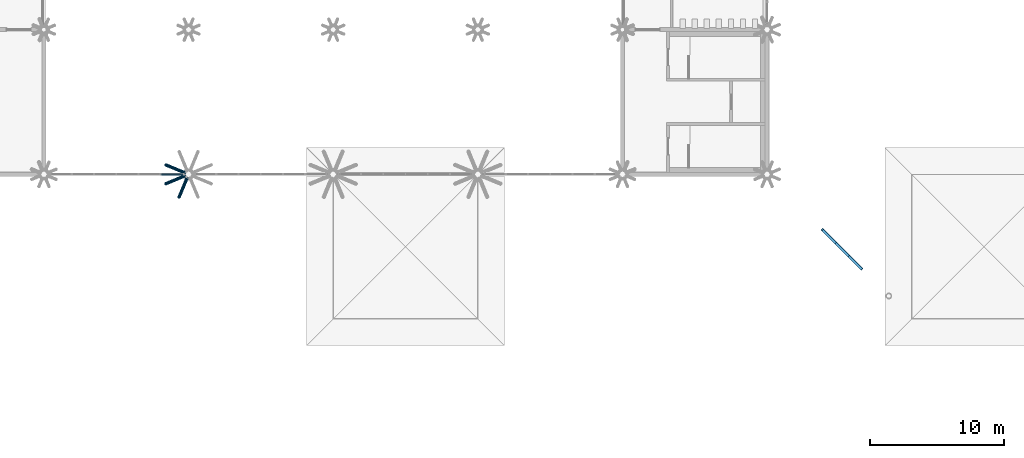
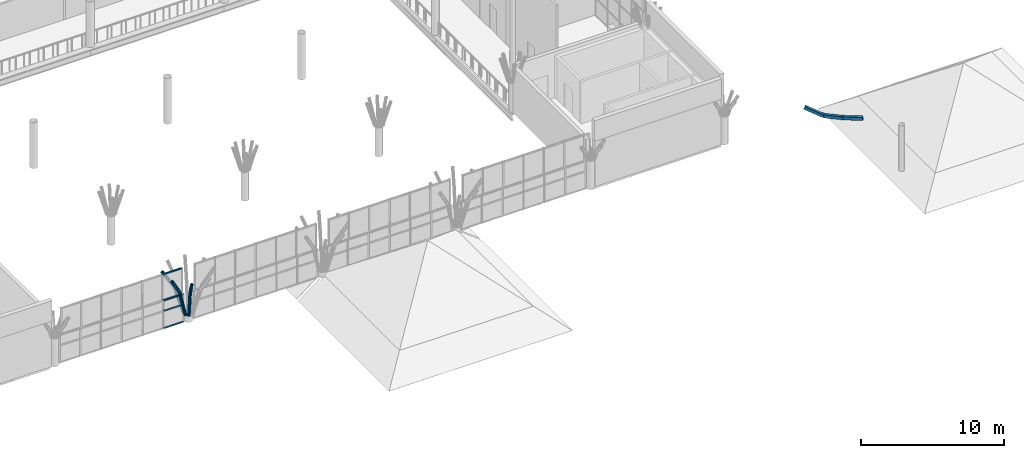
# One storey, part 16 of 95: 14 members, 2 elements without a shape of their own.
"""IFC4 building model written with IfcOpenShell, lengths in metres."""

from ifc_helpers import new_model, si_unit, direction, frame, origin, origin_2d, place, context, subcontext, project, spatial, rectangle, hollow_rectangle, hollow_circle, extrude, material, layer, layer_set, material_profile, profile_set, type_object, element, aggregate, save


model = new_model("IFC4")

# Units and contexts
model_context = context("Model", 3, precision=1e-05, world=origin(), true_north=direction((0.0, 1.0)))
body_context = subcontext(model_context, "Body", "Model", "MODEL_VIEW")
ifc_project = project(units=[si_unit("LENGTHUNIT", "METRE"), si_unit("AREAUNIT", "SQUARE_METRE"), si_unit("VOLUMEUNIT", "CUBIC_METRE"), si_unit("PLANEANGLEUNIT", "RADIAN"), si_unit("MASSUNIT", "GRAM", prefix="KILO")], contexts=[model_context])

# Site, building, storey
site_placement = place(None, origin())
site = spatial("IfcSite", under=ifc_project, at=site_placement, CompositionType="ELEMENT")
building_placement = place(site_placement, origin())
building = spatial("IfcBuilding", under=site, at=building_placement, Name="Magnolia Steps Interchange", CompositionType="ELEMENT")
storey_placement = place(building_placement, frame((0.0, 0.0, 4.800048828125)))
storey = spatial("IfcBuildingStorey", under=building, at=storey_placement, Name="L01", CompositionType="ELEMENT", Elevation=4.800048828125)

# Curtain wall, members
ifc_material_1 = material(Name="Powder-coated aluminium and glass", Category="aluminium")
ifc_layer_1 = layer(ifc_material_1, 0.14990234375)
ifc_layer_set_1 = layer_set([ifc_layer_1], Name="Glazed hall curtain wall")
curtain_wall_type_1 = type_object("IfcCurtainWallType", Name="Glazed hall curtain wall", PredefinedType="NOTDEFINED", material=ifc_layer_set_1)
curtain_wall_1_placement = place(storey_placement, origin())
curtain_wall_1 = element("IfcCurtainWall", 1, at=curtain_wall_1_placement, inside=storey, type_object=curtain_wall_type_1, Name="Hall glazing S2 L01", PredefinedType="NOTDEFINED")
ifc_material_2 = material(Name="White powder-coated aluminium", Category="aluminium")
ifc_material_profile_1 = material_profile(ifc_material_2, rectangle(XDim=0.06005859375, YDim=0.1201171875, at=origin_2d()), Name="Aluminium transom 60 x 120")
ifc_profile_set_1 = profile_set([ifc_material_profile_1], Name="White powder-coated aluminium")
member_type_1 = type_object("IfcMemberType", Name="Aluminium transom 60 x 120", PredefinedType="USERDEFINED", material=ifc_profile_set_1)
member_1_placement = place(storey_placement, frame((72.7900390625, 42.39990234375, 0.030029296875), z_axis=(1.0, 0.0, 0.0), x_axis=(0.0, 0.0, 1.0)))
member_1 = element("IfcMember", 2, at=member_1_placement, type_object=member_type_1, Name="CW1 transom 6.1", ObjectType="TRANSOM", PredefinedType="USERDEFINED", context=body_context, shape_type="SweptSolid", body=[
    extrude(rectangle(XDim=0.06005859375, YDim=0.1201171875, at=origin_2d()), origin(), (0.0, 0.0, 1.0), 1.58984375),
])
member_2_placement = place(storey_placement, frame((72.7900390625, 42.39990234375, 1.5), z_axis=(1.0, 0.0, 0.0), x_axis=(0.0, 0.0, 1.0)))
member_2 = element("IfcMember", 3, at=member_2_placement, type_object=member_type_1, Name="CW1 transom 6.2", ObjectType="TRANSOM", PredefinedType="USERDEFINED", context=body_context, shape_type="SweptSolid", body=[
    extrude(rectangle(XDim=0.06005859375, YDim=0.1201171875, at=origin_2d()), origin(), (0.0, 0.0, 1.0), 1.58984375),
])
member_3_placement = place(storey_placement, frame((72.7900390625, 42.39990234375, 2.369873046875), z_axis=(1.0, 0.0, 0.0), x_axis=(0.0, 0.0, 1.0)))
member_3 = element("IfcMember", 4, at=member_3_placement, type_object=member_type_1, Name="CW1 transom 6.3", ObjectType="TRANSOM", PredefinedType="USERDEFINED", context=body_context, shape_type="SweptSolid", body=[
    extrude(rectangle(XDim=0.06005859375, YDim=0.1201171875, at=origin_2d()), origin(), (0.0, 0.0, 1.0), 1.58984375),
])
aggregate(curtain_wall_1, [member_1, member_2, member_3])

ifc_material_3 = material(Name="Powder-coated aluminium and glass", Category="aluminium")
ifc_layer_2 = layer(ifc_material_3, 0.1201171875)
ifc_layer_set_2 = layer_set([ifc_layer_2], Name="Hall clerestory curtain wall")
curtain_wall_type_2 = type_object("IfcCurtainWallType", Name="Hall clerestory curtain wall", PredefinedType="NOTDEFINED", material=ifc_layer_set_2)
curtain_wall_2_placement = place(storey_placement, origin())
curtain_wall_2 = element("IfcCurtainWall", 5, at=curtain_wall_2_placement, inside=storey, type_object=curtain_wall_type_2, Name="Hall clerestory S2", PredefinedType="NOTDEFINED")
member_4_placement = place(storey_placement, frame((72.7099609375, 42.39990234375, 2.429931640625), z_axis=(1.0, 0.0, 0.0), x_axis=(0.0, 0.0, 1.0)))
member_4 = element("IfcMember", 6, at=member_4_placement, type_object=member_type_1, Name="CW6 transom 6.1", ObjectType="TRANSOM", PredefinedType="USERDEFINED", context=body_context, shape_type="SweptSolid", body=[
    extrude(rectangle(XDim=0.06005859375, YDim=0.1201171875, at=origin_2d()), origin(), (0.0, 0.0, 1.0), 1.550048828125),
])
member_5_placement = place(storey_placement, frame((72.7099609375, 42.39990234375, 4.61865234375), z_axis=(1.0, 0.0, 0.0), x_axis=(0.0, 0.0, 1.0)))
member_5 = element("IfcMember", 7, at=member_5_placement, type_object=member_type_1, Name="CW6 transom 6.2", ObjectType="TRANSOM", PredefinedType="USERDEFINED", context=body_context, shape_type="SweptSolid", body=[
    extrude(rectangle(XDim=0.06005859375, YDim=0.1201171875, at=origin_2d()), origin(), (0.0, 0.0, 1.0), 1.550048828125),
])
aggregate(curtain_wall_2, [member_4, member_5])

# Members
ifc_material_4 = material(Name="Steel Q355B", Category="steel")
ifc_material_profile_2 = material_profile(ifc_material_4, hollow_rectangle(XDim=0.199951171875, YDim=0.300048828125, WallThickness=0.011962890625, InnerFilletRadius=0.011962890625, OuterFilletRadius=0.02392578125, at=origin_2d()), Name="RHS300x200x12")
ifc_profile_set_2 = profile_set([ifc_material_profile_2], Name="Steel Q355B")
member_type_2 = type_object("IfcMemberType", Name="Roof truss RHS300x200x12", PredefinedType="USERDEFINED", material=ifc_profile_set_2)
member_6_placement = place(storey_placement, frame((122.118408203125, 38.281494140625, 4.0791015625), z_axis=(0.671716983955, -0.671551942927, -0.312752748058), x_axis=(0.729711209612, 0.672597388768, 0.123021555791)))
element("IfcMember", 8, at=member_6_placement, inside=storey, type_object=member_type_2, Name="Spike truss SP-H-SE bottom chord", ObjectType="Roof truss", PredefinedType="USERDEFINED", context=body_context, shape_type="SweptSolid", body=[
    extrude(hollow_rectangle(XDim=0.199951171875, YDim=0.300048828125, WallThickness=0.011962890625, InnerFilletRadius=0.011962890625, OuterFilletRadius=0.02392578125, at=origin_2d()), origin(), (0.0, 0.0, 1.0), 1.479248046875),
])
member_7_placement = place(storey_placement, frame((123.112060546875, 37.2880859375, 3.616455078125), z_axis=(0.706063592249, -0.706063592249, 0.054299239404), x_axis=(0.696198615571, 0.706132272351, 0.129169275065)))
element("IfcMember", 9, at=member_7_placement, inside=storey, type_object=member_type_2, Name="Spike truss SP-H-SE bottom chord", ObjectType="Roof truss", PredefinedType="USERDEFINED", context=body_context, shape_type="SweptSolid", body=[
    extrude(hollow_rectangle(XDim=0.199951171875, YDim=0.300048828125, WallThickness=0.011962890625, InnerFilletRadius=0.011962890625, OuterFilletRadius=0.02392578125, at=origin_2d()), origin(), (0.0, 0.0, 1.0), 1.4072265625),
])
member_8_placement = place(storey_placement, frame((124.105712890625, 36.29443359375, 3.69287109375), z_axis=(0.69902337586, -0.699195168285, 0.149974786711), x_axis=(0.686953377197, 0.714836624796, 0.130780952011)))
element("IfcMember", 10, at=member_8_placement, inside=storey, type_object=member_type_2, Name="Spike truss SP-H-SE bottom chord", ObjectType="Roof truss", PredefinedType="USERDEFINED", context=body_context, shape_type="SweptSolid", body=[
    extrude(hollow_rectangle(XDim=0.199951171875, YDim=0.300048828125, WallThickness=0.011962890625, InnerFilletRadius=0.011962890625, OuterFilletRadius=0.02392578125, at=origin_2d()), origin(), (0.0, 0.0, 1.0), 1.421142578125),
])
ifc_material_5 = material(Name="Steel Q355B", Category="steel")
ifc_material_profile_3 = material_profile(ifc_material_5, hollow_circle(Radius=0.12255859375, WallThickness=0.011962890625, at=origin_2d()), Name="CHS245x12")
ifc_profile_set_3 = profile_set([ifc_material_profile_3], Name="Steel Q355B")
member_type_3 = type_object("IfcMemberType", Name="Tree rib CHS245x12", PredefinedType="USERDEFINED", material=ifc_profile_set_3)
member_9_placement = place(storey_placement, frame((74.4951171875, 42.5263671875, 0.61865234375), z_axis=(-0.254679018405, 0.105373827881, 0.961267368624), x_axis=(-0.382318975891, -0.924030411119, 0.0)))
element("IfcMember", 11, at=member_9_placement, inside=storey, type_object=member_type_3, Name="Tree rib TH03A", ObjectType="TREE RIB", PredefinedType="USERDEFINED", context=body_context, shape_type="SweptSolid", body=[
    extrude(hollow_circle(Radius=0.12255859375, WallThickness=0.011962890625, at=origin_2d()), origin(), (0.0, 0.0, 1.0), 2.384033203125),
])
member_10_placement = place(storey_placement, frame((73.887939453125, 42.777587890625, 2.910400390625), z_axis=(-0.489571014481, 0.202820124805, 0.848047297475), x_axis=(-0.382736860682, -0.923857399968, 0.0)))
element("IfcMember", 12, at=member_10_placement, inside=storey, type_object=member_type_3, Name="Tree rib TH03A", ObjectType="TREE RIB", PredefinedType="USERDEFINED", context=body_context, shape_type="SweptSolid", body=[
    extrude(hollow_circle(Radius=0.12255859375, WallThickness=0.011962890625, at=origin_2d()), origin(), (0.0, 0.0, 1.0), 1.6201171875),
])
member_11_placement = place(storey_placement, frame((74.4951171875, 42.273681640625, 0.61865234375), z_axis=(-0.254676268946, -0.105475093291, 0.961256990992), x_axis=(0.382636144688, -0.923899118291, 0.0)))
element("IfcMember", 13, at=member_11_placement, inside=storey, type_object=member_type_3, Name="Tree rib TH03A", ObjectType="TREE RIB", PredefinedType="USERDEFINED", context=body_context, shape_type="SweptSolid", body=[
    extrude(hollow_circle(Radius=0.12255859375, WallThickness=0.011962890625, at=origin_2d()), origin(), (0.0, 0.0, 1.0), 2.384033203125),
])
member_12_placement = place(storey_placement, frame((73.887939453125, 42.022216796875, 2.910400390625), z_axis=(-0.489571014481, -0.202820124805, 0.848047297475), x_axis=(0.382736860682, -0.923857399968, 0.0)))
element("IfcMember", 14, at=member_12_placement, inside=storey, type_object=member_type_3, Name="Tree rib TH03A", ObjectType="TREE RIB", PredefinedType="USERDEFINED", context=body_context, shape_type="SweptSolid", body=[
    extrude(hollow_circle(Radius=0.12255859375, WallThickness=0.011962890625, at=origin_2d()), origin(), (0.0, 0.0, 1.0), 1.6201171875),
])
member_13_placement = place(storey_placement, frame((74.673583984375, 42.09521484375, 0.61865234375), z_axis=(-0.105373827881, -0.254679018405, 0.961267368624), x_axis=(0.924030411119, -0.382318975891, 0.0)))
element("IfcMember", 15, at=member_13_placement, inside=storey, type_object=member_type_3, Name="Tree rib TH03A", ObjectType="TREE RIB", PredefinedType="USERDEFINED", context=body_context, shape_type="SweptSolid", body=[
    extrude(hollow_circle(Radius=0.12255859375, WallThickness=0.011962890625, at=origin_2d()), origin(), (0.0, 0.0, 1.0), 2.384033203125),
])
member_14_placement = place(storey_placement, frame((74.42236328125, 41.488037109375, 2.910400390625), z_axis=(-0.202820124805, -0.489571014481, 0.848047297475), x_axis=(0.923857399968, -0.382736860682, 0.0)))
element("IfcMember", 16, at=member_14_placement, inside=storey, type_object=member_type_3, Name="Tree rib TH03A", ObjectType="TREE RIB", PredefinedType="USERDEFINED", context=body_context, shape_type="SweptSolid", body=[
    extrude(hollow_circle(Radius=0.12255859375, WallThickness=0.011962890625, at=origin_2d()), origin(), (0.0, 0.0, 1.0), 1.6201171875),
])

save(model, "model.ifc")
